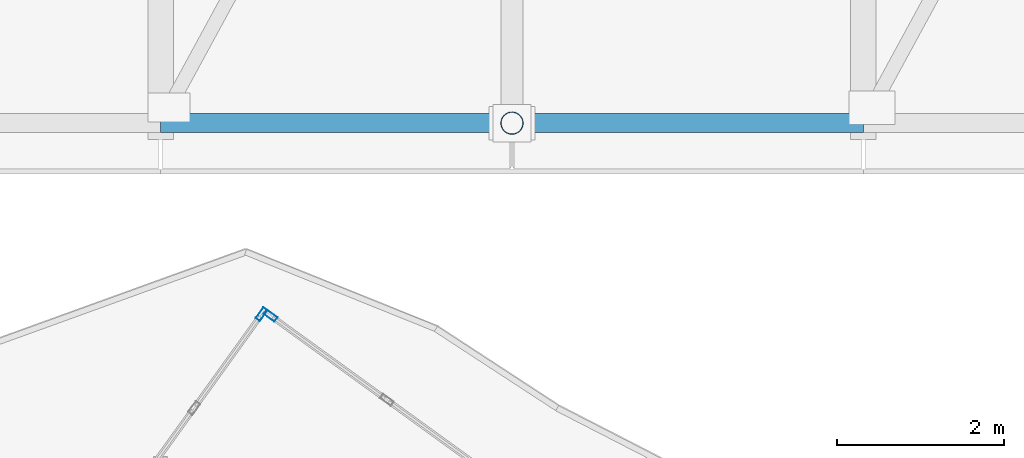
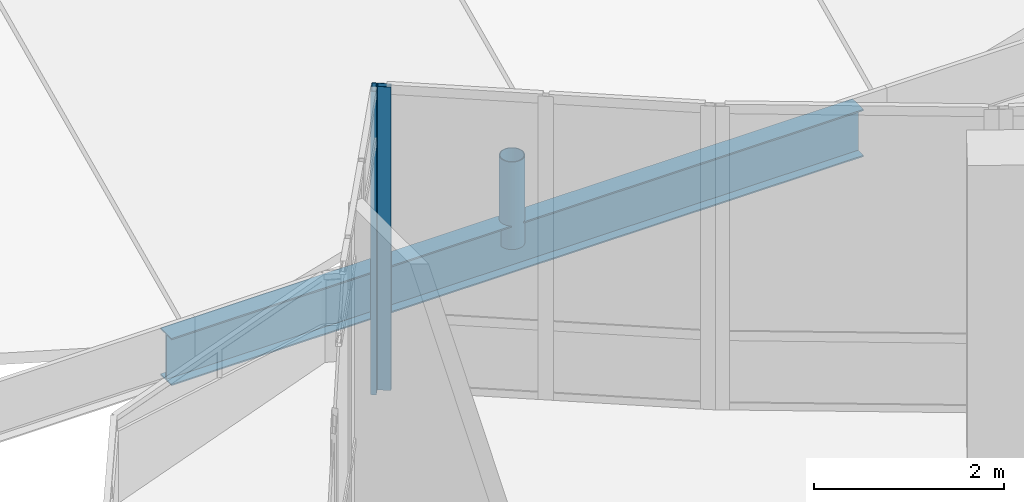
# One storey, part 29 of 184: 3 members, 1 beam, 2 elements without a shape of their own.
"""IFC4 building model written with IfcOpenShell, lengths in metres."""

from ifc_helpers import new_model, si_unit, direction, frame, origin, origin_2d, place, context, subcontext, project, spatial, hollow_rectangle, hollow_circle, i_section, extrude, material, material_profile, profile_set, type_object, element, aggregate, save


model = new_model("IFC4")

# Units and contexts
model_context = context("Model", 3, precision=1e-05, world=origin(), true_north=direction((0.0, 1.0)))
body_context = subcontext(model_context, "Body", "Model", "MODEL_VIEW")
ifc_project = project(units=[si_unit("LENGTHUNIT", "METRE"), si_unit("AREAUNIT", "SQUARE_METRE"), si_unit("VOLUMEUNIT", "CUBIC_METRE"), si_unit("PLANEANGLEUNIT", "RADIAN"), si_unit("MASSUNIT", "GRAM", prefix="KILO")], contexts=[model_context])

# Site, building, storey
site_placement = place(None, origin())
site = spatial("IfcSite", under=ifc_project, at=site_placement, CompositionType="ELEMENT")
building_placement = place(site_placement, origin())
building = spatial("IfcBuilding", under=site, at=building_placement, Name="Selatvlak General Hospital", CompositionType="ELEMENT")
storey_placement = place(building_placement, frame((0.0, 0.0, 15.0)))
storey = spatial("IfcBuildingStorey", under=building, at=storey_placement, Name="L03", CompositionType="ELEMENT", Elevation=15.0)

# Beam
ifc_material_1 = material(Name="Steel S355", Category="steel")
ifc_material_profile_1 = material_profile(ifc_material_1, i_section(OverallWidth=0.228271484375, OverallDepth=0.607666015625, WebThickness=0.010986328125, FlangeThickness=0.017333984375, at=origin_2d()), Name="UB 610x229x113")
ifc_profile_set_1 = profile_set([ifc_material_profile_1], Name="Steel S355")
beam_type = type_object("IfcBeamType", Name="BM-RF4", PredefinedType="BEAM", material=ifc_profile_set_1)
beam_placement = place(storey_placement, frame((31.199951171875, 52.550048828125, -0.529052734375), z_axis=(1.0, 0.0, 0.0), x_axis=(0.0, 1.0, 0.0)))
element("IfcBeam", 1, at=beam_placement, inside=storey, type_object=beam_type, Name="Folded roof S valley girder 2", PredefinedType="BEAM", context=body_context, shape_type="SweptSolid", body=[
    extrude(i_section(OverallWidth=0.228271484375, OverallDepth=0.607666015625, WebThickness=0.010986328125, FlangeThickness=0.017333984375, at=origin_2d()), origin(), (0.0, 0.0, 1.0), 8.400146484375),
])

# Curtain wall, member
ifc_material_2 = material(Name="Solar-control Low-E double glazing", Category="glass")
curtain_wall_type_1 = type_object("IfcCurtainWallType", Name="CW-CW-01", PredefinedType="USERDEFINED", material=ifc_material_2)
curtain_wall_1_placement = place(storey_placement, origin())
curtain_wall_1 = element("IfcCurtainWall", 2, at=curtain_wall_1_placement, inside=storey, type_object=curtain_wall_type_1, Name="Glazed facade curtain wall CW-L03-0441", ObjectType="UNITISED CURTAIN WALL", PredefinedType="USERDEFINED")
ifc_material_3 = material(Name="Dark anodised aluminium mullion", Category="aluminium")
ifc_material_profile_2 = material_profile(ifc_material_3, hollow_rectangle(XDim=0.06494140625, YDim=0.159912109375, WallThickness=0.00390625, at=origin_2d()), Name="AL-MUL 65x160x4")
ifc_profile_set_2 = profile_set([ifc_material_profile_2], Name="Dark anodised aluminium mullion")
member_type_1 = type_object("IfcMemberType", Name="CWM-01", PredefinedType="MULLION", material=ifc_profile_set_2)
member_1_placement = place(storey_placement, frame((32.407958984375, 50.2666015625, 0.0), z_axis=(0.0, 0.0, 1.0), x_axis=(-0.811837318502, 0.583883694145, 0.0)))
member_1 = element("IfcMember", 3, at=member_1_placement, type_object=member_type_1, Name="CW-01 mullion 6", PredefinedType="MULLION", context=body_context, shape_type="SweptSolid", body=[
    extrude(hollow_rectangle(XDim=0.06494140625, YDim=0.159912109375, WallThickness=0.00390625, at=origin_2d()), origin(), (0.0, 0.0, 1.0), 3.89501953125),
])
aggregate(curtain_wall_1, [member_1])

curtain_wall_type_2 = type_object("IfcCurtainWallType", Name="CW-CW-02", PredefinedType="USERDEFINED", material=ifc_material_2)
curtain_wall_2_placement = place(storey_placement, origin())
curtain_wall_2 = element("IfcCurtainWall", 4, at=curtain_wall_2_placement, inside=storey, type_object=curtain_wall_type_2, Name="Glazed facade curtain wall CW-L03-0442", ObjectType="UNITISED CURTAIN WALL", PredefinedType="USERDEFINED")
member_2_placement = place(storey_placement, frame((32.514404296875, 50.248046875, 0.0), z_axis=(0.0, 0.0, 1.0), x_axis=(0.58631560804, 0.810082716622, 0.0)))
member_2 = element("IfcMember", 5, at=member_2_placement, type_object=member_type_1, Name="CW-02 mullion 1", PredefinedType="MULLION", context=body_context, shape_type="SweptSolid", body=[
    extrude(hollow_rectangle(XDim=0.06494140625, YDim=0.159912109375, WallThickness=0.00390625, at=origin_2d()), origin(), (0.0, 0.0, 1.0), 3.89501953125),
])
aggregate(curtain_wall_2, [member_2])

# Member
ifc_material_profile_3 = material_profile(ifc_material_1, hollow_circle(Radius=0.136474609375, WallThickness=0.010009765625, at=origin_2d()), Name="CHS 273.0x10")
ifc_profile_set_3 = profile_set([ifc_material_profile_3], Name="Steel S355")
member_type_2 = type_object("IfcMemberType", Name="MEM-ST1", PredefinedType="STRUT", material=ifc_profile_set_3)
member_3_placement = place(storey_placement, frame((35.39990234375, 52.550048828125, -0.529052734375), z_axis=(0.0, 0.0, 1.0), x_axis=(1.0, 0.0, 0.0)))
element("IfcMember", 6, at=member_3_placement, inside=storey, type_object=member_type_2, Name="Folded roof ridge kingpost S-3", PredefinedType="STRUT", context=body_context, shape_type="SweptSolid", body=[
    extrude(hollow_circle(Radius=0.136474609375, WallThickness=0.010009765625, at=origin_2d()), origin(), (0.0, 0.0, 1.0), 1.123046875),
])

save(model, "model.ifc")
